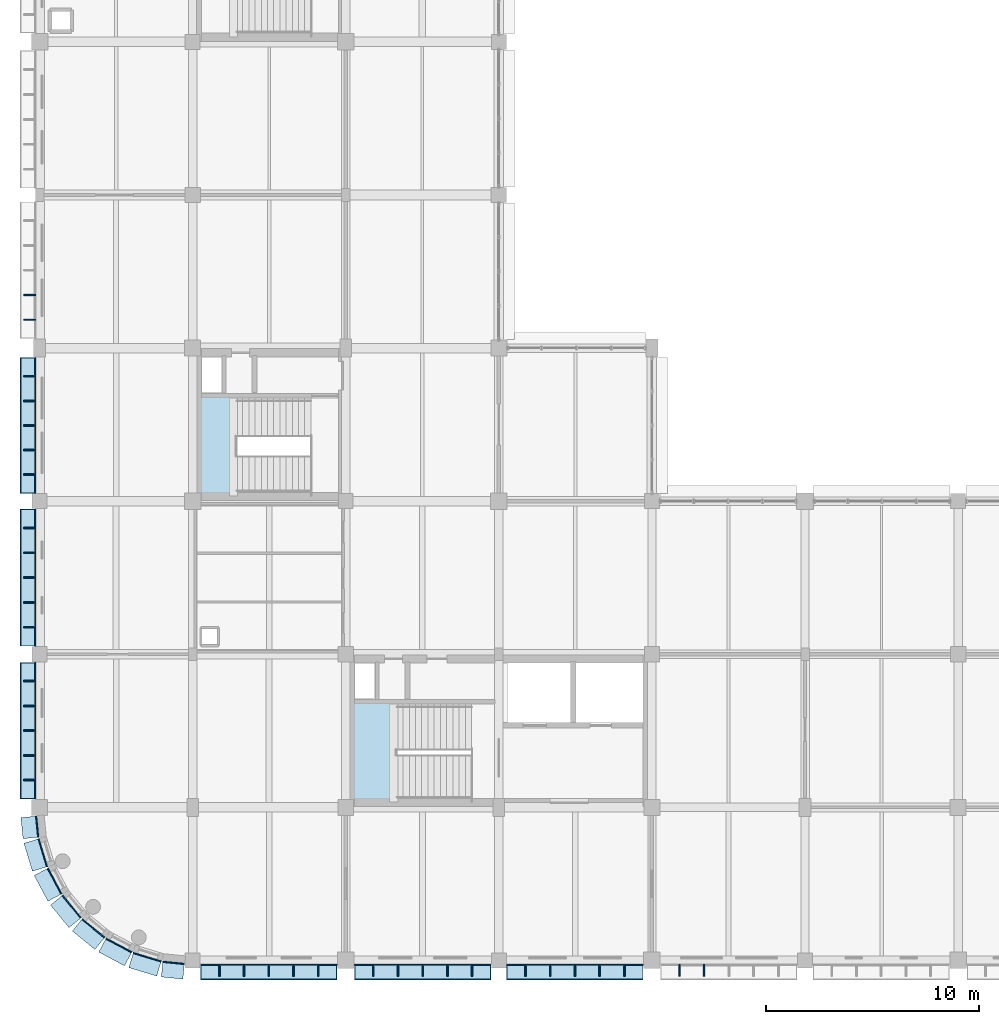
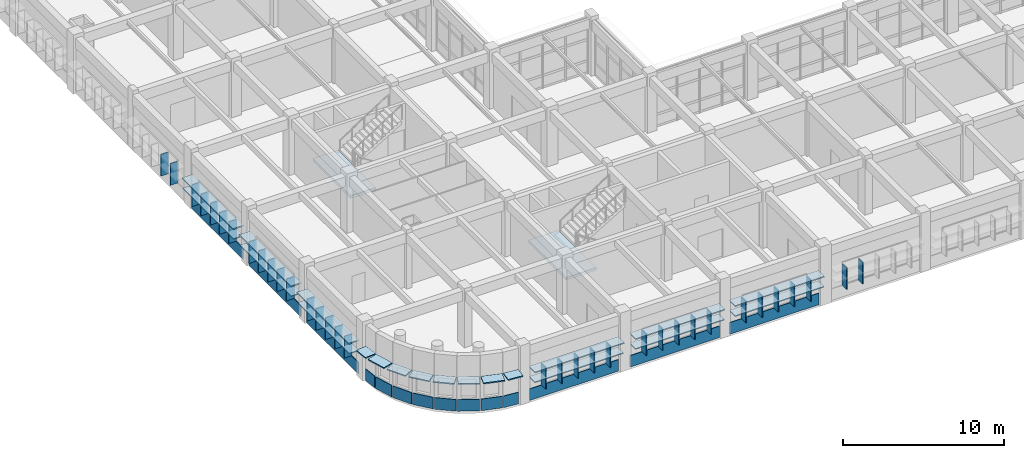
# One storey, part 117 of 171: 68 plates, 2 slabs, 2 elements without a shape of their own.
"""IFC4 building model written with IfcOpenShell, lengths in metres."""

from ifc_helpers import new_model, si_unit, direction, frame, origin, origin_2d, place, context, subcontext, project, spatial, polyline, rectangle, outline, extrude, material, layer, layer_set, type_object, element, aggregate, save


model = new_model("IFC4")

# Units and contexts
model_context = context("Model", 3, precision=1e-05, world=origin(), true_north=direction((0.0, 1.0)))
body_context = subcontext(model_context, "Body", "Model", "MODEL_VIEW")
ifc_project = project(units=[si_unit("LENGTHUNIT", "METRE"), si_unit("AREAUNIT", "SQUARE_METRE"), si_unit("VOLUMEUNIT", "CUBIC_METRE"), si_unit("PLANEANGLEUNIT", "RADIAN"), si_unit("MASSUNIT", "GRAM", prefix="KILO")], contexts=[model_context])

# Site, building, storey
site_placement = place(None, origin())
site = spatial("IfcSite", under=ifc_project, at=site_placement, CompositionType="ELEMENT")
building_placement = place(site_placement, origin())
building = spatial("IfcBuilding", under=site, at=building_placement, Name="Thalmaran Polytechnic", CompositionType="ELEMENT")
storey_placement = place(building_placement, frame((0.0, 0.0, 5.39990234375)))
storey = spatial("IfcBuildingStorey", under=building, at=storey_placement, Name="L01", CompositionType="ELEMENT", Elevation=5.39990234375)

# Plates
ifc_material_1 = material(Name="Anodised aluminium spandrel band", Category="aluminium")
ifc_layer_1 = layer(ifc_material_1, 0.054931640625, Name="Anodised aluminium spandrel band")
ifc_layer_set_1 = layer_set([ifc_layer_1], Name="Anodised aluminium spandrel band")
plate_type_1 = type_object("IfcPlateType", Name="PT-BD01", PredefinedType="SHEET", material=ifc_layer_set_1)
plate_1_placement = place(storey_placement, frame((-0.1064453125, 6.2919921875, 0.020263671875), z_axis=(0.0, 0.0, 1.0), x_axis=(-0.09801714033, 0.995184726672, 0.0)))
element("IfcPlate", 1, at=plate_1_placement, inside=storey, type_object=plate_type_1, Name="Streamline Horizontal Spandrel Band L01-001", PredefinedType="SHEET", context=body_context, shape_type="SweptSolid", body=[
    extrude(rectangle(XDim=0.996337890625, YDim=0.054931640625, at=origin_2d()), origin(), (0.0, 0.0, 1.0), 0.8798828125),
])
plate_2_placement = place(storey_placement, frame((-0.195068359375, 10.8076171875, 0.020263671875), z_axis=(0.0, 0.0, 1.0), x_axis=(0.0, 1.0, 0.0)))
element("IfcPlate", 2, at=plate_2_placement, inside=storey, type_object=plate_type_1, Name="Streamline Horizontal Spandrel Band L01-002", PredefinedType="SHEET", context=body_context, shape_type="SweptSolid", body=[
    extrude(rectangle(XDim=6.425048828125, YDim=0.054931640625, at=origin_2d()), origin(), (0.0, 0.0, 1.0), 0.8798828125),
])
plate_3_placement = place(storey_placement, frame((-0.195068359375, 18.0048828125, 0.020263671875), z_axis=(0.0, 0.0, 1.0), x_axis=(0.0, 1.0, 0.0)))
element("IfcPlate", 3, at=plate_3_placement, inside=storey, type_object=plate_type_1, Name="Streamline Horizontal Spandrel Band L01-003", PredefinedType="SHEET", context=body_context, shape_type="SweptSolid", body=[
    extrude(rectangle(XDim=6.449951171875, YDim=0.054931640625, at=origin_2d()), origin(), (0.0, 0.0, 1.0), 0.8798828125),
])
plate_4_placement = place(storey_placement, frame((-0.195068359375, 25.16259765625, 0.020263671875), z_axis=(0.0, 0.0, 1.0), x_axis=(0.0, 1.0, 0.0)))
element("IfcPlate", 4, at=plate_4_placement, inside=storey, type_object=plate_type_1, Name="Streamline Horizontal Spandrel Band L01-004", PredefinedType="SHEET", context=body_context, shape_type="SweptSolid", body=[
    extrude(rectangle(XDim=6.385009765625, YDim=0.054931640625, at=origin_2d()), origin(), (0.0, 0.0, 1.0), 0.8798828125),
])
for number, where, z_axis, x_axis, name in (
    (5, (25.179931640625, -0.195068359375, 0.020263671875), (0.0, 0.0, 1.0), (-1.0, 0.0, 0.0), "Streamline Horizontal Spandrel Band L01-089"),
    (6, (18.02001953125, -0.195068359375, 0.020263671875), (0.0, 0.0, 1.0), (-1.0, 0.0, 0.0), "Streamline Horizontal Spandrel Band L01-090"),
    (7, (10.780029296875, -0.195068359375, 0.020263671875), (0.0, 0.0, 1.0), (-1.0, 0.0, 0.0), "Streamline Horizontal Spandrel Band L01-091"),
):
    element("IfcPlate", number, at=place(storey_placement, frame(where, z_axis=z_axis, x_axis=x_axis)), inside=storey, type_object=plate_type_1, Name=name, PredefinedType="SHEET", context=body_context, shape_type="SweptSolid", body=[
        extrude(rectangle(XDim=6.419921875, YDim=0.054931640625, at=origin_2d()), origin(), (0.0, 0.0, 1.0), 0.8798828125),
    ])
plate_5_placement = place(storey_placement, frame((6.304443359375, -0.107666015625, 0.020263671875), z_axis=(0.0, 0.0, 1.0), x_axis=(-0.995184726672, 0.09801714033, 0.0)))
element("IfcPlate", 8, at=plate_5_placement, inside=storey, type_object=plate_type_1, Name="Streamline Horizontal Spandrel Band L01-092", PredefinedType="SHEET", context=body_context, shape_type="SweptSolid", body=[
    extrude(rectangle(XDim=1.021484375, YDim=0.054931640625, at=origin_2d()), origin(), (0.0, 0.0, 1.0), 0.8798828125),
])
for number, where, z_axis, x_axis, name in (
    (9, (5.0634765625, 0.156494140625, 0.020263671875), (0.0, 0.0, 1.0), (-0.956940335732, 0.290284677254, 0.0), "Streamline Horizontal Spandrel Band L01-093"),
    (10, (3.73046875, 0.708740234375, 0.020263671875), (0.0, 0.0, 1.0), (-0.881921264348, 0.471396736826, 0.0), "Streamline Horizontal Spandrel Band L01-094"),
    (11, (2.53076171875, 1.510498046875, 0.020263671875), (0.0, 0.0, 1.0), (-0.773010453363, 0.634393284164, 0.0), "Streamline Horizontal Spandrel Band L01-095"),
    (12, (1.510498046875, 2.53076171875, 0.020263671875), (0.0, 0.0, 1.0), (-0.634393284164, 0.773010453363, 0.0), "Streamline Horizontal Spandrel Band L01-096"),
    (13, (0.708740234375, 3.73046875, 0.020263671875), (0.0, 0.0, 1.0), (-0.471396736826, 0.881921264348, 0.0), "Streamline Horizontal Spandrel Band L01-097"),
    (14, (0.156494140625, 5.0634765625, 0.020263671875), (0.0, 0.0, 1.0), (-0.290284677254, 0.956940335732, 0.0), "Streamline Horizontal Spandrel Band L01-098"),
):
    element("IfcPlate", number, at=place(storey_placement, frame(where, z_axis=z_axis, x_axis=x_axis)), inside=storey, type_object=plate_type_1, Name=name, PredefinedType="SHEET", context=body_context, shape_type="SweptSolid", body=[
        extrude(rectangle(XDim=1.371337890625, YDim=0.054931640625, at=origin_2d()), origin(), (0.0, 0.0, 1.0), 0.8798828125),
    ])
ifc_material_2 = material(Name="Anodised aluminium sun-hood eyebrow", Category="aluminium")
ifc_layer_2 = layer(ifc_material_2, 0.0849609375, Name="Anodised aluminium sun-hood eyebrow")
ifc_layer_set_2 = layer_set([ifc_layer_2], Name="Anodised aluminium sun-hood eyebrow")
plate_type_2 = type_object("IfcPlateType", Name="PT-EB01", PredefinedType="SHEET", material=ifc_layer_set_2)
plate_6_placement = place(storey_placement, frame((-0.449951171875, 6.258056640625, 2.517578125), z_axis=(0.0, 0.0, 1.0), x_axis=(-0.09801714033, 0.995184726672, 0.0)))
element("IfcPlate", 15, at=plate_6_placement, inside=storey, type_object=plate_type_2, Name="Streamline Sun-Hood Eyebrow L01-001", PredefinedType="SHEET", context=body_context, shape_type="SweptSolid", body=[
    extrude(rectangle(XDim=0.996337890625, YDim=0.760009765625, at=origin_2d()), origin(), (0.0, 0.0, 1.0), 0.0849609375),
])
plate_7_placement = place(storey_placement, frame((-0.5400390625, 10.8076171875, 2.517578125), z_axis=(0.0, 0.0, 1.0), x_axis=(0.0, 1.0, 0.0)))
element("IfcPlate", 16, at=plate_7_placement, inside=storey, type_object=plate_type_2, Name="Streamline Sun-Hood Eyebrow L01-002", PredefinedType="SHEET", context=body_context, shape_type="SweptSolid", body=[
    extrude(rectangle(XDim=6.425048828125, YDim=0.760009765625, at=origin_2d()), origin(), (0.0, 0.0, 1.0), 0.0849609375),
])
plate_8_placement = place(storey_placement, frame((-0.52001953125, 10.8076171875, 1.74267578125), z_axis=(0.0, 0.0, 1.0), x_axis=(0.0, 1.0, 0.0)))
element("IfcPlate", 17, at=plate_8_placement, inside=storey, type_object=plate_type_2, Name="Abu Dhabi Horizontal Solar Louvre L01-002", PredefinedType="SHEET", context=body_context, shape_type="SweptSolid", body=[
    extrude(rectangle(XDim=6.385009765625, YDim=0.719970703125, at=origin_2d()), origin(), (0.0, 0.0, 1.0), 0.074951171875),
])
plate_9_placement = place(storey_placement, frame((-0.5400390625, 18.0048828125, 2.517578125), z_axis=(0.0, 0.0, 1.0), x_axis=(0.0, 1.0, 0.0)))
element("IfcPlate", 18, at=plate_9_placement, inside=storey, type_object=plate_type_2, Name="Streamline Sun-Hood Eyebrow L01-003", PredefinedType="SHEET", context=body_context, shape_type="SweptSolid", body=[
    extrude(rectangle(XDim=6.449951171875, YDim=0.760009765625, at=origin_2d()), origin(), (0.0, 0.0, 1.0), 0.0849609375),
])
plate_10_placement = place(storey_placement, frame((-0.52001953125, 18.0048828125, 1.74267578125), z_axis=(0.0, 0.0, 1.0), x_axis=(0.0, 1.0, 0.0)))
element("IfcPlate", 19, at=plate_10_placement, inside=storey, type_object=plate_type_2, Name="Abu Dhabi Horizontal Solar Louvre L01-003", PredefinedType="SHEET", context=body_context, shape_type="SweptSolid", body=[
    extrude(rectangle(XDim=6.409912109375, YDim=0.719970703125, at=origin_2d()), origin(), (0.0, 0.0, 1.0), 0.074951171875),
])
plate_11_placement = place(storey_placement, frame((-0.5400390625, 25.16259765625, 2.517578125), z_axis=(0.0, 0.0, 1.0), x_axis=(0.0, 1.0, 0.0)))
element("IfcPlate", 20, at=plate_11_placement, inside=storey, type_object=plate_type_2, Name="Streamline Sun-Hood Eyebrow L01-004", PredefinedType="SHEET", context=body_context, shape_type="SweptSolid", body=[
    extrude(rectangle(XDim=6.385009765625, YDim=0.760009765625, at=origin_2d()), origin(), (0.0, 0.0, 1.0), 0.0849609375),
])
plate_12_placement = place(storey_placement, frame((-0.52001953125, 25.16259765625, 1.74267578125), z_axis=(0.0, 0.0, 1.0), x_axis=(0.0, 1.0, 0.0)))
element("IfcPlate", 21, at=plate_12_placement, inside=storey, type_object=plate_type_2, Name="Abu Dhabi Horizontal Solar Louvre L01-004", PredefinedType="SHEET", context=body_context, shape_type="SweptSolid", body=[
    extrude(rectangle(XDim=6.344970703125, YDim=0.719970703125, at=origin_2d()), origin(), (0.0, 0.0, 1.0), 0.074951171875),
])
plate_13_placement = place(storey_placement, frame((25.179931640625, -0.5400390625, 2.517578125), z_axis=(0.0, 0.0, 1.0), x_axis=(-1.0, 0.0, 0.0)))
element("IfcPlate", 22, at=plate_13_placement, inside=storey, type_object=plate_type_2, Name="Streamline Sun-Hood Eyebrow L01-089", PredefinedType="SHEET", context=body_context, shape_type="SweptSolid", body=[
    extrude(rectangle(XDim=6.419921875, YDim=0.760009765625, at=origin_2d()), origin(), (0.0, 0.0, 1.0), 0.0849609375),
])
plate_14_placement = place(storey_placement, frame((25.179931640625, -0.52001953125, 1.74267578125), z_axis=(0.0, 0.0, 1.0), x_axis=(-1.0, 0.0, 0.0)))
element("IfcPlate", 23, at=plate_14_placement, inside=storey, type_object=plate_type_2, Name="Abu Dhabi Horizontal Solar Louvre L01-089", PredefinedType="SHEET", context=body_context, shape_type="SweptSolid", body=[
    extrude(rectangle(XDim=6.3798828125, YDim=0.719970703125, at=origin_2d()), origin(), (0.0, 0.0, 1.0), 0.074951171875),
])
plate_15_placement = place(storey_placement, frame((18.02001953125, -0.5400390625, 2.517578125), z_axis=(0.0, 0.0, 1.0), x_axis=(-1.0, 0.0, 0.0)))
element("IfcPlate", 24, at=plate_15_placement, inside=storey, type_object=plate_type_2, Name="Streamline Sun-Hood Eyebrow L01-090", PredefinedType="SHEET", context=body_context, shape_type="SweptSolid", body=[
    extrude(rectangle(XDim=6.419921875, YDim=0.760009765625, at=origin_2d()), origin(), (0.0, 0.0, 1.0), 0.0849609375),
])
plate_16_placement = place(storey_placement, frame((18.02001953125, -0.52001953125, 1.74267578125), z_axis=(0.0, 0.0, 1.0), x_axis=(-1.0, 0.0, 0.0)))
element("IfcPlate", 25, at=plate_16_placement, inside=storey, type_object=plate_type_2, Name="Abu Dhabi Horizontal Solar Louvre L01-090", PredefinedType="SHEET", context=body_context, shape_type="SweptSolid", body=[
    extrude(rectangle(XDim=6.3798828125, YDim=0.719970703125, at=origin_2d()), origin(), (0.0, 0.0, 1.0), 0.074951171875),
])
plate_17_placement = place(storey_placement, frame((10.780029296875, -0.5400390625, 2.517578125), z_axis=(0.0, 0.0, 1.0), x_axis=(-1.0, 0.0, 0.0)))
element("IfcPlate", 26, at=plate_17_placement, inside=storey, type_object=plate_type_2, Name="Streamline Sun-Hood Eyebrow L01-091", PredefinedType="SHEET", context=body_context, shape_type="SweptSolid", body=[
    extrude(rectangle(XDim=6.419921875, YDim=0.760009765625, at=origin_2d()), origin(), (0.0, 0.0, 1.0), 0.0849609375),
])
plate_18_placement = place(storey_placement, frame((10.780029296875, -0.52001953125, 1.74267578125), z_axis=(0.0, 0.0, 1.0), x_axis=(-1.0, 0.0, 0.0)))
element("IfcPlate", 27, at=plate_18_placement, inside=storey, type_object=plate_type_2, Name="Abu Dhabi Horizontal Solar Louvre L01-091", PredefinedType="SHEET", context=body_context, shape_type="SweptSolid", body=[
    extrude(rectangle(XDim=6.3798828125, YDim=0.719970703125, at=origin_2d()), origin(), (0.0, 0.0, 1.0), 0.074951171875),
])
plate_19_placement = place(storey_placement, frame((6.2705078125, -0.451171875, 2.517578125), z_axis=(0.0, 0.0, 1.0), x_axis=(-0.995184726672, 0.09801714033, 0.0)))
element("IfcPlate", 28, at=plate_19_placement, inside=storey, type_object=plate_type_2, Name="Streamline Sun-Hood Eyebrow L01-092", PredefinedType="SHEET", context=body_context, shape_type="SweptSolid", body=[
    extrude(rectangle(XDim=1.021484375, YDim=0.760009765625, at=origin_2d()), origin(), (0.0, 0.0, 1.0), 0.0849609375),
])
for number, where, z_axis, x_axis, name in (
    (29, (4.96337890625, -0.173583984375, 2.517578125), (0.0, 0.0, 1.0), (-0.956940335732, 0.290284677254, 0.0), "Streamline Sun-Hood Eyebrow L01-093"),
    (30, (3.567626953125, 0.404541015625, 2.517578125), (0.0, 0.0, 1.0), (-0.881921264348, 0.471396736826, 0.0), "Streamline Sun-Hood Eyebrow L01-094"),
    (31, (2.311767578125, 1.24365234375, 2.517578125), (0.0, 0.0, 1.0), (-0.773010453363, 0.634393284164, 0.0), "Streamline Sun-Hood Eyebrow L01-095"),
    (32, (1.24365234375, 2.311767578125, 2.517578125), (0.0, 0.0, 1.0), (-0.634393284164, 0.773010453363, 0.0), "Streamline Sun-Hood Eyebrow L01-096"),
    (33, (0.404541015625, 3.567626953125, 2.517578125), (0.0, 0.0, 1.0), (-0.471396736826, 0.881921264348, 0.0), "Streamline Sun-Hood Eyebrow L01-097"),
    (34, (-0.173583984375, 4.96337890625, 2.517578125), (0.0, 0.0, 1.0), (-0.290284677254, 0.956940335732, 0.0), "Streamline Sun-Hood Eyebrow L01-098"),
):
    element("IfcPlate", number, at=place(storey_placement, frame(where, z_axis=z_axis, x_axis=x_axis)), inside=storey, type_object=plate_type_2, Name=name, PredefinedType="SHEET", context=body_context, shape_type="SweptSolid", body=[
        extrude(rectangle(XDim=1.371337890625, YDim=0.760009765625, at=origin_2d()), origin(), (0.0, 0.0, 1.0), 0.0849609375),
    ])
ifc_material_3 = material(Name="Anodised bronze brise-soleil fin")
ifc_layer_3 = layer(ifc_material_3, 0.06494140625, Name="Anodised bronze brise-soleil fin")
ifc_layer_set_3 = layer_set([ifc_layer_3], Name="Anodised bronze brise-soleil fin")
plate_type_3 = type_object("IfcPlateType", Name="PT-FN01", PredefinedType="SHEET", material=ifc_layer_set_3)
for number, where, z_axis, x_axis, name in (
    (35, (-0.4599609375, 8.47998046875, 0.895263671875), (0.0, 0.0, 1.0), (0.0, 1.0, 0.0), "Abu Dhabi Solar Brise-Soleil Fin L01-002-1"),
    (36, (-0.4599609375, 9.643798828125, 0.895263671875), (0.0, 0.0, 1.0), (0.0, 1.0, 0.0), "Abu Dhabi Solar Brise-Soleil Fin L01-002-2"),
    (37, (-0.4599609375, 10.8076171875, 0.895263671875), (0.0, 0.0, 1.0), (0.0, 1.0, 0.0), "Abu Dhabi Solar Brise-Soleil Fin L01-002-3"),
    (38, (-0.4599609375, 11.97119140625, 0.895263671875), (0.0, 0.0, 1.0), (0.0, 1.0, 0.0), "Abu Dhabi Solar Brise-Soleil Fin L01-002-4"),
    (39, (-0.4599609375, 13.135009765625, 0.895263671875), (0.0, 0.0, 1.0), (0.0, 1.0, 0.0), "Abu Dhabi Solar Brise-Soleil Fin L01-002-5"),
    (40, (-0.4599609375, 15.668701171875, 0.895263671875), (0.0, 0.0, 1.0), (0.0, 1.0, 0.0), "Abu Dhabi Solar Brise-Soleil Fin L01-003-1"),
    (41, (-0.4599609375, 16.8369140625, 0.895263671875), (0.0, 0.0, 1.0), (0.0, 1.0, 0.0), "Abu Dhabi Solar Brise-Soleil Fin L01-003-2"),
    (42, (-0.4599609375, 18.0048828125, 0.895263671875), (0.0, 0.0, 1.0), (0.0, 1.0, 0.0), "Abu Dhabi Solar Brise-Soleil Fin L01-003-3"),
    (43, (-0.4599609375, 19.173095703125, 0.895263671875), (0.0, 0.0, 1.0), (0.0, 1.0, 0.0), "Abu Dhabi Solar Brise-Soleil Fin L01-003-4"),
    (44, (-0.4599609375, 20.34130859375, 0.895263671875), (0.0, 0.0, 1.0), (0.0, 1.0, 0.0), "Abu Dhabi Solar Brise-Soleil Fin L01-003-5"),
    (45, (-0.4599609375, 22.849609375, 0.895263671875), (0.0, 0.0, 1.0), (0.0, 1.0, 0.0), "Abu Dhabi Solar Brise-Soleil Fin L01-004-1"),
    (46, (-0.4599609375, 24.006103515625, 0.895263671875), (0.0, 0.0, 1.0), (0.0, 1.0, 0.0), "Abu Dhabi Solar Brise-Soleil Fin L01-004-2"),
    (47, (-0.4599609375, 25.16259765625, 0.895263671875), (0.0, 0.0, 1.0), (0.0, 1.0, 0.0), "Abu Dhabi Solar Brise-Soleil Fin L01-004-3"),
    (48, (-0.4599609375, 26.319091796875, 0.895263671875), (0.0, 0.0, 1.0), (0.0, 1.0, 0.0), "Abu Dhabi Solar Brise-Soleil Fin L01-004-4"),
    (49, (-0.4599609375, 27.4755859375, 0.895263671875), (0.0, 0.0, 1.0), (0.0, 1.0, 0.0), "Abu Dhabi Solar Brise-Soleil Fin L01-004-5"),
    (50, (-0.4599609375, 30.131591796875, 0.895263671875), (0.0, 0.0, 1.0), (0.0, 1.0, 0.0), "Abu Dhabi Solar Brise-Soleil Fin L01-005-1"),
    (51, (-0.4599609375, 31.297119140625, 0.895263671875), (0.0, 0.0, 1.0), (0.0, 1.0, 0.0), "Abu Dhabi Solar Brise-Soleil Fin L01-005-2"),
    (52, (31.257080078125, -0.4599609375, 0.895263671875), (0.0, 0.0, 1.0), (-1.0, 0.0, 0.0), "Abu Dhabi Solar Brise-Soleil Fin L01-088-4"),
    (53, (30.094482421875, -0.4599609375, 0.895263671875), (0.0, 0.0, 1.0), (-1.0, 0.0, 0.0), "Abu Dhabi Solar Brise-Soleil Fin L01-088-5"),
    (54, (27.505615234375, -0.4599609375, 0.895263671875), (0.0, 0.0, 1.0), (-1.0, 0.0, 0.0), "Abu Dhabi Solar Brise-Soleil Fin L01-089-1"),
    (55, (26.3427734375, -0.4599609375, 0.895263671875), (0.0, 0.0, 1.0), (-1.0, 0.0, 0.0), "Abu Dhabi Solar Brise-Soleil Fin L01-089-2"),
    (56, (25.179931640625, -0.4599609375, 0.895263671875), (0.0, 0.0, 1.0), (-1.0, 0.0, 0.0), "Abu Dhabi Solar Brise-Soleil Fin L01-089-3"),
    (57, (24.01708984375, -0.4599609375, 0.895263671875), (0.0, 0.0, 1.0), (-1.0, 0.0, 0.0), "Abu Dhabi Solar Brise-Soleil Fin L01-089-4"),
    (58, (22.8544921875, -0.4599609375, 0.895263671875), (0.0, 0.0, 1.0), (-1.0, 0.0, 0.0), "Abu Dhabi Solar Brise-Soleil Fin L01-089-5"),
    (59, (20.345703125, -0.4599609375, 0.895263671875), (0.0, 0.0, 1.0), (-1.0, 0.0, 0.0), "Abu Dhabi Solar Brise-Soleil Fin L01-090-1"),
    (60, (19.182861328125, -0.4599609375, 0.895263671875), (0.0, 0.0, 1.0), (-1.0, 0.0, 0.0), "Abu Dhabi Solar Brise-Soleil Fin L01-090-2"),
    (61, (18.02001953125, -0.4599609375, 0.895263671875), (0.0, 0.0, 1.0), (-1.0, 0.0, 0.0), "Abu Dhabi Solar Brise-Soleil Fin L01-090-3"),
    (62, (16.857177734375, -0.4599609375, 0.895263671875), (0.0, 0.0, 1.0), (-1.0, 0.0, 0.0), "Abu Dhabi Solar Brise-Soleil Fin L01-090-4"),
    (63, (15.6943359375, -0.4599609375, 0.895263671875), (0.0, 0.0, 1.0), (-1.0, 0.0, 0.0), "Abu Dhabi Solar Brise-Soleil Fin L01-090-5"),
    (64, (13.105712890625, -0.4599609375, 0.895263671875), (0.0, 0.0, 1.0), (-1.0, 0.0, 0.0), "Abu Dhabi Solar Brise-Soleil Fin L01-091-1"),
    (65, (11.94287109375, -0.4599609375, 0.895263671875), (0.0, 0.0, 1.0), (-1.0, 0.0, 0.0), "Abu Dhabi Solar Brise-Soleil Fin L01-091-2"),
    (66, (10.780029296875, -0.4599609375, 0.895263671875), (0.0, 0.0, 1.0), (-1.0, 0.0, 0.0), "Abu Dhabi Solar Brise-Soleil Fin L01-091-3"),
    (67, (9.6171875, -0.4599609375, 0.895263671875), (0.0, 0.0, 1.0), (-1.0, 0.0, 0.0), "Abu Dhabi Solar Brise-Soleil Fin L01-091-4"),
    (68, (8.454345703125, -0.4599609375, 0.895263671875), (0.0, 0.0, 1.0), (-1.0, 0.0, 0.0), "Abu Dhabi Solar Brise-Soleil Fin L01-091-5"),
):
    element("IfcPlate", number, at=place(storey_placement, frame(where, z_axis=z_axis, x_axis=x_axis)), inside=storey, type_object=plate_type_3, Name=name, PredefinedType="SHEET", context=body_context, shape_type="SweptSolid", body=[
        extrude(rectangle(XDim=0.06494140625, YDim=0.56005859375, at=origin_2d()), origin(), (0.0, 0.0, 1.0), 1.64990234375),
    ])

# Stair, slab
ifc_material_4 = material(Name="Concrete C40/50", Category="concrete")
stair_type = type_object("IfcStairType", Name="ST-HT45", PredefinedType="HALF_TURN_STAIR", material=ifc_material_4)
stair_1_placement = place(storey_placement, origin())
stair_1 = element("IfcStair", 69, at=stair_1_placement, inside=storey, type_object=stair_type, Name="Exit Stair ST1 L01", PredefinedType="HALF_TURN_STAIR")
ifc_layer_4 = layer(ifc_material_4, 0.2099609375, Name="Concrete C40/50")
ifc_layer_set_4 = layer_set([ifc_layer_4], Name="Concrete C40/50")
slab_type = type_object("IfcSlabType", Name="SL-LD01", PredefinedType="LANDING", material=ifc_layer_set_4)
slab_1_placement = place(storey_placement, frame((0.0, 0.0, 2.0400390625)))
slab_1 = element("IfcSlab", 70, at=slab_1_placement, type_object=slab_type, Name="ST1 L01 Half Landing", PredefinedType="LANDING", context=body_context, shape_type="SweptSolid", body=[
    extrude(outline(polyline([(14.639892578125, 7.43994140625), (16.800048828125, 7.43994140625), (16.800048828125, 12.139892578125), (14.639892578125, 12.139892578125), (14.639892578125, 7.43994140625)])), origin(), (0.0, 0.0, 1.0), 0.2099609375),
])
aggregate(stair_1, [slab_1])

stair_2_placement = place(storey_placement, origin())
stair_2 = element("IfcStair", 71, at=stair_2_placement, inside=storey, type_object=stair_type, Name="Exit Stair ST3 L01", PredefinedType="HALF_TURN_STAIR")
slab_2_placement = place(storey_placement, frame((0.0, 0.0, 2.0400390625)))
slab_2 = element("IfcSlab", 72, at=slab_2_placement, type_object=slab_type, Name="ST3 L01 Half Landing", PredefinedType="LANDING", context=body_context, shape_type="SweptSolid", body=[
    extrude(outline(polyline([(7.43994140625, 21.840087890625), (9.260009765625, 21.840087890625), (9.260009765625, 26.5400390625), (7.43994140625, 26.5400390625), (7.43994140625, 21.840087890625)])), origin(), (0.0, 0.0, 1.0), 0.2099609375),
])
aggregate(stair_2, [slab_2])

save(model, "model.ifc")
